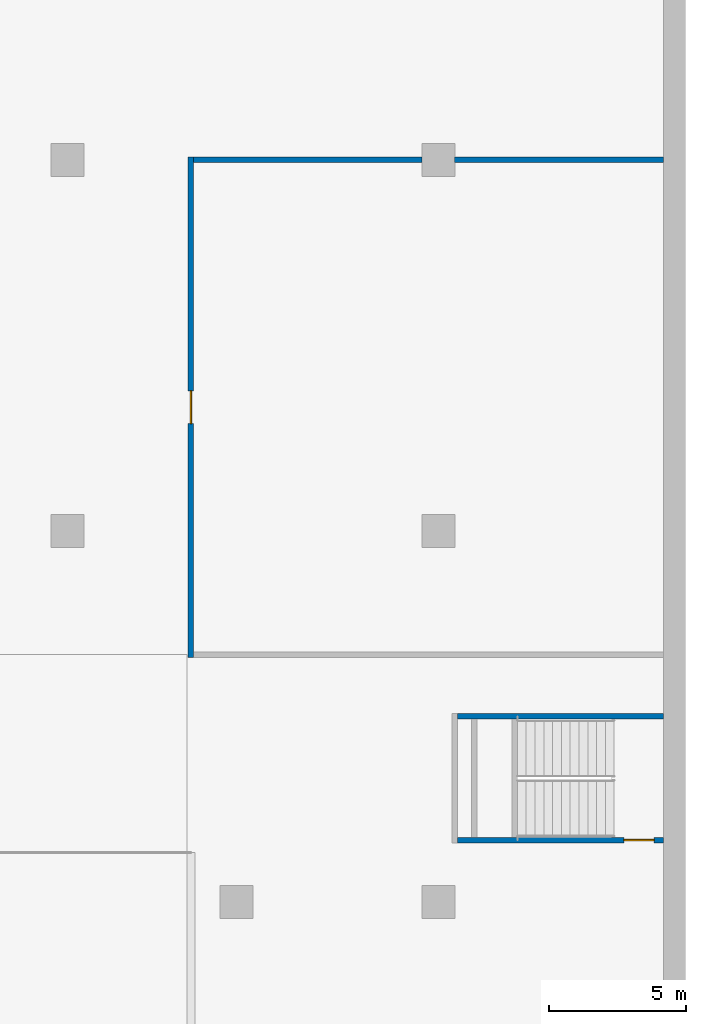
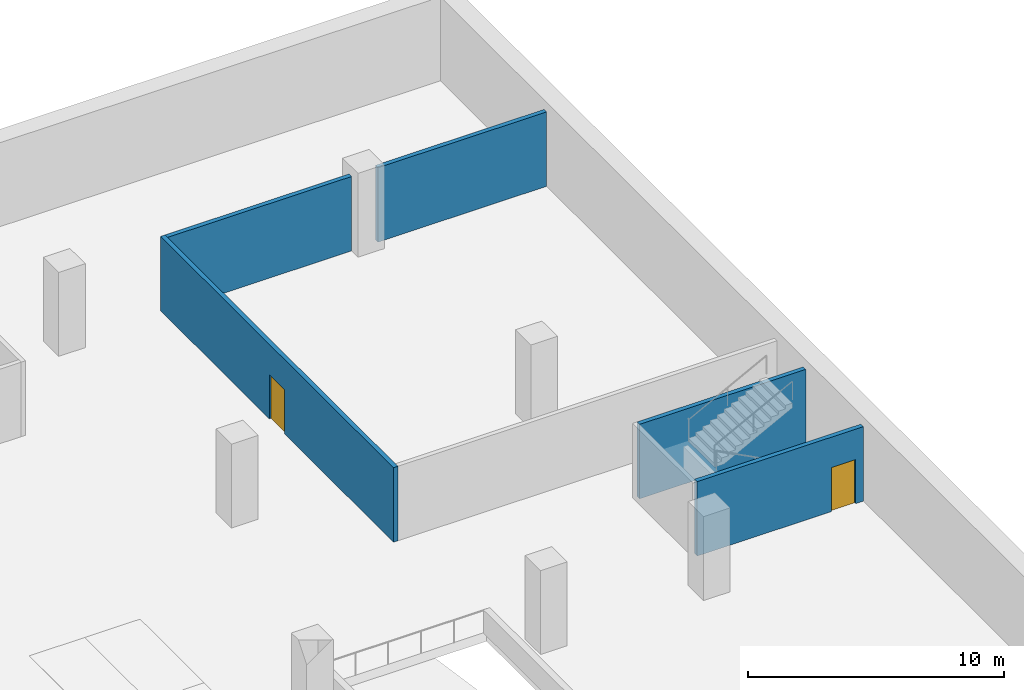
# One storey, part 14 of 31: 5 walls, 2 doors, 2 openings.
"""IFC4 building model written with IfcOpenShell, lengths in metres."""

from ifc_helpers import new_model, si_unit, direction, frame, frame_2d, origin, place, context, subcontext, project, spatial, rectangle, extrude, material, layer, layer_set, type_object, element, fill, save


model = new_model("IFC4")

# Units and contexts
model_context = context("Model", 3, precision=1e-05, world=origin(), true_north=direction((0.0, 1.0)))
body_context = subcontext(model_context, "Body", "Model", "MODEL_VIEW")
ifc_project = project(units=[si_unit("LENGTHUNIT", "METRE"), si_unit("AREAUNIT", "SQUARE_METRE"), si_unit("VOLUMEUNIT", "CUBIC_METRE"), si_unit("PLANEANGLEUNIT", "RADIAN"), si_unit("MASSUNIT", "GRAM", prefix="KILO")], contexts=[model_context])

# Site, building, storey
site_placement = place(None, origin())
site = spatial("IfcSite", under=ifc_project, at=site_placement, CompositionType="ELEMENT")
building_placement = place(site_placement, origin())
building = spatial("IfcBuilding", under=site, at=building_placement, Name="Altepetl Exchange Towers", CompositionType="ELEMENT")
storey_placement = place(building_placement, frame((0.0, 0.0, -4.0)))
storey = spatial("IfcBuildingStorey", under=building, at=storey_placement, Name="B1 Basement services", CompositionType="ELEMENT", Elevation=-4.0)

# Wall, opening, door
ifc_material_1 = material(Name="Concrete block masonry", Category="masonry")
ifc_layer_1 = layer(ifc_material_1, 0.199951171875)
ifc_layer_set_1 = layer_set([ifc_layer_1], Name="Concrete block masonry")
wall_type_1 = type_object("IfcWallType", Name="Podium fire wall 200", PredefinedType="SOLIDWALL", material=ifc_layer_set_1)
wall_1_placement = place(storey_placement, frame((135.0, 71.89990234375, 0.0), z_axis=(0.0, 0.0, 1.0), x_axis=(0.0, 1.0, 0.0)))
wall_1 = element("IfcWall", 1, at=wall_1_placement, inside=storey, type_object=wall_type_1, Name="wall:P:B1:P024", PredefinedType="SOLIDWALL", context=body_context, shape_type="SweptSolid", body=[
    extrude(rectangle(XDim=18.2001953125, YDim=0.199951171875, at=frame_2d((9.10009765625, 0.0))), origin(), (0.0, 0.0, 1.0), 3.550048828125),
])
opening_1_placement = place(wall_1_placement, frame((8.5, 0.0, 0.0)))
opening_1 = element("IfcOpeningElement", 2, at=opening_1_placement, cuts=wall_1, Name="Opening B1.P009", PredefinedType="OPENING", context=body_context, shape_type="SweptSolid", body=[
    extrude(rectangle(XDim=1.199951171875, YDim=2.10009765625, at=frame_2d((0.60009765625, 1.050048828125))), frame((0.0, 0.10986328125, 0.0), z_axis=(0.0, -1.0, 0.0), x_axis=(1.0, 0.0, 0.0)), (0.0, 0.0, 1.0), 0.219970703125),
])
ifc_material_2 = material(Name="Steel fire door", Category="steel")
door_type_1 = type_object("IfcDoorType", Name="Podium fire door 1200 x 2100 double leaf", OperationType="DOUBLE_DOOR_SINGLE_SWING", PredefinedType="DOOR", material=ifc_material_2)
door_1_placement = place(opening_1_placement, frame((1.199951171875, 0.0, 0.0), x_axis=(-1.0, 0.0, 0.0)))
door_1 = element("IfcDoor", 3, at=door_1_placement, inside=storey, type_object=door_type_1, Name="door:P:B1:009", OperationType="DOUBLE_DOOR_SINGLE_SWING", OverallHeight=2.10009765625, OverallWidth=1.199951171875, PredefinedType="DOOR", context=body_context, shape_type="SweptSolid", body=[
    extrude(rectangle(XDim=1.199951171875, YDim=2.10009765625, at=frame_2d((0.60009765625, 1.050048828125))), frame((0.0, 0.02490234375, 0.0), z_axis=(0.0, -1.0, 0.0), x_axis=(1.0, 0.0, 0.0)), (0.0, 0.0, 1.0), 0.050048828125),
])
fill(opening_1, door_1)

# Walls
wall_2_placement = place(storey_placement, frame((135.10009765625, 90.0, 0.0)))
element("IfcWall", 4, at=wall_2_placement, inside=storey, type_object=wall_type_1, Name="wall:P:B1:P026", PredefinedType="SOLIDWALL", context=body_context, shape_type="SweptSolid", body=[
    extrude(rectangle(XDim=8.304931640625, YDim=0.199951171875, at=frame_2d((4.15234375, 0.0))), origin(), (0.0, 0.0, 1.0), 3.550048828125),
])
wall_3_placement = place(storey_placement, frame((144.594970703125, 90.0, 0.0)))
element("IfcWall", 5, at=wall_3_placement, inside=storey, type_object=wall_type_1, Name="wall:P:B1:P027", PredefinedType="SOLIDWALL", context=body_context, shape_type="SweptSolid", body=[
    extrude(rectangle(XDim=7.60498046875, YDim=0.199951171875, at=frame_2d((3.802490234375, 0.0))), origin(), (0.0, 0.0, 1.0), 3.550048828125),
])

# Wall, opening, door
ifc_material_3 = material(Name="Reinforced concrete C35/45", Category="concrete")
ifc_layer_2 = layer(ifc_material_3, 0.199951171875)
ifc_layer_set_2 = layer_set([ifc_layer_2], Name="Reinforced concrete C35/45")
wall_type_2 = type_object("IfcWallType", Name="Stair enclosure wall 200", PredefinedType="SOLIDWALL", material=ifc_layer_set_2)
wall_4_placement = place(storey_placement, frame((144.699951171875, 65.25, 0.0)))
wall_4 = element("IfcWall", 6, at=wall_4_placement, inside=storey, type_object=wall_type_2, Name="wall:P:B1:P080", PredefinedType="SOLIDWALL", context=body_context, shape_type="SweptSolid", body=[
    extrude(rectangle(XDim=7.5, YDim=0.199951171875, at=frame_2d((3.75, 0.0))), origin(), (0.0, 0.0, 1.0), 3.550048828125),
])
opening_2_placement = place(wall_4_placement, frame((6.050048828125, 0.0, 0.0)))
opening_2 = element("IfcOpeningElement", 7, at=opening_2_placement, cuts=wall_4, Name="Opening B1.P020", PredefinedType="OPENING", context=body_context, shape_type="SweptSolid", body=[
    extrude(rectangle(XDim=1.10009765625, YDim=2.10009765625, at=frame_2d((0.550048828125, 1.050048828125))), frame((0.0, 0.10986328125, 0.0), z_axis=(0.0, -1.0, 0.0), x_axis=(1.0, 0.0, 0.0)), (0.0, 0.0, 1.0), 0.219970703125),
])
door_type_2 = type_object("IfcDoorType", Name="Podium fire door 1100 x 2100 single leaf", OperationType="SINGLE_SWING_LEFT", PredefinedType="DOOR", material=ifc_material_2)
door_2_placement = place(opening_2_placement, origin())
door_2 = element("IfcDoor", 8, at=door_2_placement, inside=storey, type_object=door_type_2, Name="door:P:B1:020", OperationType="SINGLE_SWING_RIGHT", OverallHeight=2.10009765625, OverallWidth=1.10009765625, PredefinedType="DOOR", context=body_context, shape_type="SweptSolid", body=[
    extrude(rectangle(XDim=1.10009765625, YDim=2.10009765625, at=frame_2d((0.550048828125, 1.050048828125))), frame((0.0, 0.02490234375, 0.0), z_axis=(0.0, -1.0, 0.0), x_axis=(1.0, 0.0, 0.0)), (0.0, 0.0, 1.0), 0.050048828125),
])
fill(opening_2, door_2)

# Wall
wall_5_placement = place(storey_placement, frame((144.699951171875, 69.75, 0.0)))
element("IfcWall", 9, at=wall_5_placement, inside=storey, type_object=wall_type_2, Name="wall:P:B1:P081", PredefinedType="SOLIDWALL", context=body_context, shape_type="SweptSolid", body=[
    extrude(rectangle(XDim=7.5, YDim=0.199951171875, at=frame_2d((3.75, 0.0))), origin(), (0.0, 0.0, 1.0), 3.550048828125),
])

save(model, "model.ifc")
